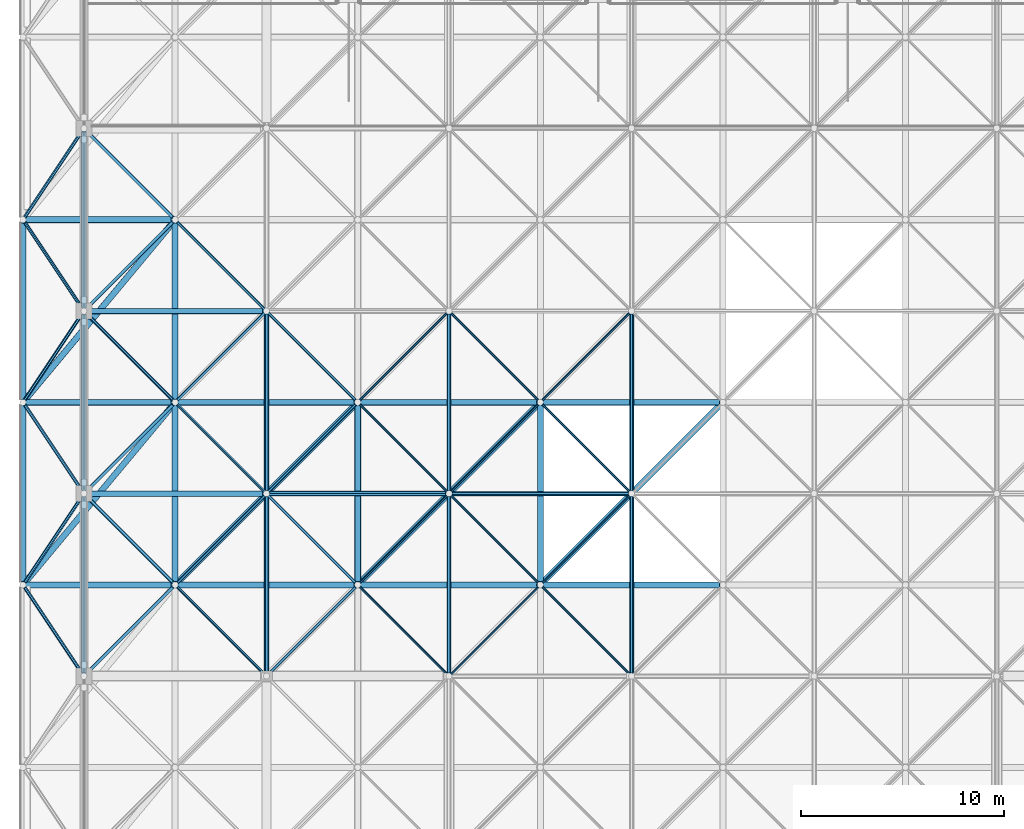
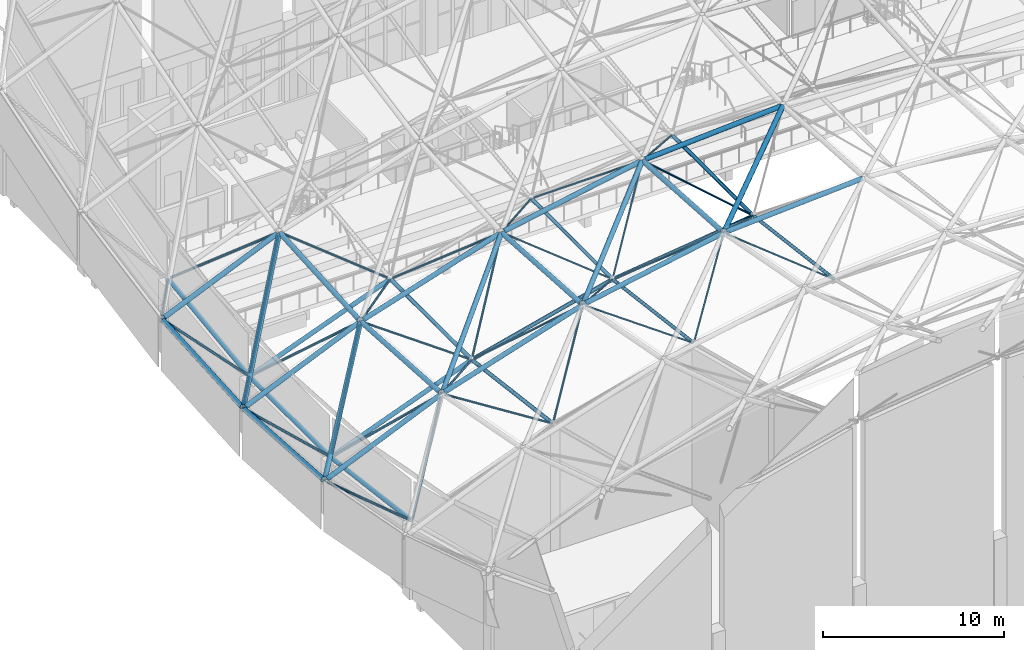
# One storey, part 98 of 437: 66 members.
"""IFC4 building model written with IfcOpenShell, lengths in metres."""

from ifc_helpers import new_model, si_unit, direction, frame, origin, origin_2d, place, context, subcontext, project, spatial, hollow_circle, extrude, material, material_profile, profile_set, type_object, element, save


model = new_model("IFC4")

# Units and contexts
model_context = context("Model", 3, precision=1e-05, world=origin(), true_north=direction((0.0, 1.0)))
body_context = subcontext(model_context, "Body", "Model", "MODEL_VIEW")
ifc_project = project(units=[si_unit("LENGTHUNIT", "METRE"), si_unit("AREAUNIT", "SQUARE_METRE"), si_unit("VOLUMEUNIT", "CUBIC_METRE"), si_unit("PLANEANGLEUNIT", "RADIAN"), si_unit("MASSUNIT", "GRAM", prefix="KILO")], contexts=[model_context])

# Site, building, storey
site_placement = place(None, origin())
site = spatial("IfcSite", under=ifc_project, at=site_placement, CompositionType="ELEMENT")
building_placement = place(site_placement, origin())
building = spatial("IfcBuilding", under=site, at=building_placement, Name="Opaline Strait Convention Centre", CompositionType="ELEMENT")
storey_placement = place(building_placement, frame((0.0, 0.0, 11.5)))
storey = spatial("IfcBuildingStorey", under=building, at=storey_placement, Name="L02", CompositionType="ELEMENT", Elevation=11.5)

# Members
ifc_material = material(Name="Steel Q355B", Category="steel")
ifc_material_profile_1 = material_profile(ifc_material, hollow_circle(Radius=0.109619140625, WallThickness=0.008056640625, at=origin_2d()), Name="CHS 219x8")
ifc_profile_set_1 = profile_set([ifc_material_profile_1], Name="Steel Q355B")
member_type_1 = type_object("IfcMemberType", Name="Shell truss bottom chord CHS 219x8", PredefinedType="CHORD", material=ifc_profile_set_1)
for number, where, z_axis, x_axis, name in (
    (1, (27.14990234375, 144.0, 9.5712890625), (0.992034447069, 0.0, 0.125966883853), (0.0, 1.0, 0.0), "PBC3 bottom chord X3-4"),
    (2, (27.0, 135.14990234375, 10.676025390625), (0.0, 0.992034447069, -0.125966883853), (-1.0, 0.0, 0.0), "PBC3 bottom chord Y3-3"),
):
    element("IfcMember", number, at=place(storey_placement, frame(where, z_axis=z_axis, x_axis=x_axis)), inside=storey, type_object=member_type_1, Name=name, PredefinedType="CHORD", context=body_context, shape_type="SweptSolid", body=[
        extrude(hollow_circle(Radius=0.109619140625, WallThickness=0.008056640625, at=origin_2d()), origin(), (0.0, 0.0, 1.0), 8.77001953125),
    ])
member_1_placement = place(storey_placement, frame((27.0, 144.14990234375, 9.552001953125), z_axis=(0.0, 1.0, 0.0), x_axis=(-1.0, 0.0, 0.0)))
element("IfcMember", 3, at=member_1_placement, inside=storey, type_object=member_type_1, Name="PBC3 bottom chord Y3-4", PredefinedType="CHORD", context=body_context, shape_type="SweptSolid", body=[
    extrude(hollow_circle(Radius=0.109619140625, WallThickness=0.008056640625, at=origin_2d()), origin(), (0.0, 0.0, 1.0), 8.7001953125),
])
member_2_placement = place(storey_placement, frame((36.0, 135.14990234375, 11.81884765625), z_axis=(0.0, 0.992034447069, -0.125966883853), x_axis=(-1.0, 0.0, 0.0)))
element("IfcMember", 4, at=member_2_placement, inside=storey, type_object=member_type_1, Name="PBC3 bottom chord Y4-3", PredefinedType="CHORD", context=body_context, shape_type="SweptSolid", body=[
    extrude(hollow_circle(Radius=0.109619140625, WallThickness=0.008056640625, at=origin_2d()), origin(), (0.0, 0.0, 1.0), 8.77001953125),
])
member_3_placement = place(storey_placement, frame((36.0, 144.14990234375, 10.695068359375), z_axis=(0.0, 1.0, 0.0), x_axis=(-1.0, 0.0, 0.0)))
element("IfcMember", 5, at=member_3_placement, inside=storey, type_object=member_type_1, Name="PBC3 bottom chord Y4-4", PredefinedType="CHORD", context=body_context, shape_type="SweptSolid", body=[
    extrude(hollow_circle(Radius=0.109619140625, WallThickness=0.008056640625, at=origin_2d()), origin(), (0.0, 0.0, 1.0), 8.7001953125),
])
ifc_material_profile_2 = material_profile(ifc_material, hollow_circle(Radius=0.12255859375, WallThickness=0.011962890625, at=origin_2d()), Name="CHS 245x12")
ifc_profile_set_2 = profile_set([ifc_material_profile_2], Name="Steel Q355B")
member_type_2 = type_object("IfcMemberType", Name="Shell truss bottom chord CHS 245x12", PredefinedType="CHORD", material=ifc_profile_set_2)
member_4_placement = place(storey_placement, frame((18.14990234375, 144.0, 7.304443359375), z_axis=(0.969233447146, 0.0, 0.246143301624), x_axis=(0.0, 1.0, 0.0)))
element("IfcMember", 6, at=member_4_placement, inside=storey, type_object=member_type_2, Name="PBC2 bottom chord X2-4", PredefinedType="CHORD", context=body_context, shape_type="SweptSolid", body=[
    extrude(hollow_circle(Radius=0.12255859375, WallThickness=0.011962890625, at=origin_2d()), origin(), (0.0, 0.0, 1.0), 8.976318359375),
])
member_5_placement = place(storey_placement, frame((18.0, 135.14990234375, 8.39013671875), z_axis=(0.0, 0.992034447069, -0.125966883853), x_axis=(-1.0, 0.0, 0.0)))
element("IfcMember", 7, at=member_5_placement, inside=storey, type_object=member_type_2, Name="PBC2 bottom chord Y2-3", PredefinedType="CHORD", context=body_context, shape_type="SweptSolid", body=[
    extrude(hollow_circle(Radius=0.12255859375, WallThickness=0.011962890625, at=origin_2d()), origin(), (0.0, 0.0, 1.0), 8.77001953125),
])
member_6_placement = place(storey_placement, frame((18.0, 144.14990234375, 7.266357421875), z_axis=(0.0, 1.0, 0.0), x_axis=(-1.0, 0.0, 0.0)))
element("IfcMember", 8, at=member_6_placement, inside=storey, type_object=member_type_2, Name="PBC2 bottom chord Y2-4", PredefinedType="CHORD", context=body_context, shape_type="SweptSolid", body=[
    extrude(hollow_circle(Radius=0.12255859375, WallThickness=0.011962890625, at=origin_2d()), origin(), (0.0, 0.0, 1.0), 8.7001953125),
])
ifc_material_profile_3 = material_profile(ifc_material, hollow_circle(Radius=0.136474609375, WallThickness=0.011962890625, at=origin_2d()), Name="CHS 273x12")
ifc_profile_set_3 = profile_set([ifc_material_profile_3], Name="Steel Q355B")
member_type_3 = type_object("IfcMemberType", Name="Shell truss bottom chord CHS 273x12", PredefinedType="CHORD", material=ifc_profile_set_3)
for number, where, z_axis, x_axis, name in (
    (9, (9.14990234375, 144.0, 3.89501953125), (0.934493135261, 0.0, 0.355981151397), (0.0, 1.0, 0.0), "PBC1 bottom chord X1-4"),
    (10, (9.14990234375, 153.0, 3.89501953125), (0.934493135261, 0.0, 0.355981151397), (0.0, 1.0, 0.0), "PBC1 bottom chord X1-5"),
):
    element("IfcMember", number, at=place(storey_placement, frame(where, z_axis=z_axis, x_axis=x_axis)), inside=storey, type_object=member_type_3, Name=name, PredefinedType="CHORD", context=body_context, shape_type="SweptSolid", body=[
        extrude(hollow_circle(Radius=0.136474609375, WallThickness=0.011962890625, at=origin_2d()), origin(), (0.0, 0.0, 1.0), 9.31005859375),
    ])
member_7_placement = place(storey_placement, frame((9.0, 135.14990234375, 4.961669921875), z_axis=(0.0, 0.992034447069, -0.125966883853), x_axis=(-1.0, 0.0, 0.0)))
element("IfcMember", 11, at=member_7_placement, inside=storey, type_object=member_type_3, Name="PBC1 bottom chord Y1-3", PredefinedType="CHORD", context=body_context, shape_type="SweptSolid", body=[
    extrude(hollow_circle(Radius=0.136474609375, WallThickness=0.011962890625, at=origin_2d()), origin(), (0.0, 0.0, 1.0), 8.77001953125),
])
member_8_placement = place(storey_placement, frame((9.0, 144.14990234375, 3.837890625), z_axis=(0.0, 1.0, 0.0), x_axis=(-1.0, 0.0, 0.0)))
element("IfcMember", 12, at=member_8_placement, inside=storey, type_object=member_type_3, Name="PBC1 bottom chord Y1-4", PredefinedType="CHORD", context=body_context, shape_type="SweptSolid", body=[
    extrude(hollow_circle(Radius=0.136474609375, WallThickness=0.011962890625, at=origin_2d()), origin(), (0.0, 0.0, 1.0), 8.7001953125),
])
member_9_placement = place(storey_placement, frame((9.0, 153.14990234375, 3.85693359375), z_axis=(0.0, 0.992034447069, 0.125966883853), x_axis=(-1.0, 0.0, 0.0)))
element("IfcMember", 13, at=member_9_placement, inside=storey, type_object=member_type_3, Name="PBC1 bottom chord Y1-5", PredefinedType="CHORD", context=body_context, shape_type="SweptSolid", body=[
    extrude(hollow_circle(Radius=0.136474609375, WallThickness=0.011962890625, at=origin_2d()), origin(), (0.0, 0.0, 1.0), 8.77001953125),
])
ifc_material_profile_4 = material_profile(ifc_material, hollow_circle(Radius=0.1494140625, WallThickness=0.010009765625, at=origin_2d()), Name="CHS 299x10")
ifc_profile_set_4 = profile_set([ifc_material_profile_4], Name="Steel Q355B")
member_type_4 = type_object("IfcMemberType", Name="Shell truss top chord CHS 299x10", PredefinedType="CHORD", material=ifc_profile_set_4)
member_10_placement = place(storey_placement, frame((22.64990234375, 139.5, 12.1591796875), z_axis=(0.982337601302, 0.0, 0.187117174701), x_axis=(0.0, 1.0, 0.0)))
element("IfcMember", 14, at=member_10_placement, inside=storey, type_object=member_type_4, Name="PTC2 top chord X3-4", PredefinedType="CHORD", context=body_context, shape_type="SweptSolid", body=[
    extrude(hollow_circle(Radius=0.1494140625, WallThickness=0.010009765625, at=origin_2d()), origin(), (0.0, 0.0, 1.0), 8.856689453125),
])
member_11_placement = place(storey_placement, frame((31.64990234375, 139.5, 13.8544921875), z_axis=(0.997989749805, 0.0, 0.063375541694), x_axis=(0.0, 1.0, 0.0)))
element("IfcMember", 15, at=member_11_placement, inside=storey, type_object=member_type_4, Name="PTC2 top chord X4-4", PredefinedType="CHORD", context=body_context, shape_type="SweptSolid", body=[
    extrude(hollow_circle(Radius=0.1494140625, WallThickness=0.010009765625, at=origin_2d()), origin(), (0.0, 0.0, 1.0), 8.7177734375),
])
member_12_placement = place(storey_placement, frame((22.64990234375, 148.5, 11.587890625), z_axis=(0.982337601302, 0.0, 0.187117174701), x_axis=(0.0, 1.0, 0.0)))
element("IfcMember", 16, at=member_12_placement, inside=storey, type_object=member_type_4, Name="PTC2 top chord X3-5", PredefinedType="CHORD", context=body_context, shape_type="SweptSolid", body=[
    extrude(hollow_circle(Radius=0.1494140625, WallThickness=0.010009765625, at=origin_2d()), origin(), (0.0, 0.0, 1.0), 8.856689453125),
])
for number, where, z_axis, x_axis, name in (
    (17, (31.64990234375, 148.5, 13.283203125), (0.997991520688, 0.0, 0.063347649001), (0.0, 1.0, 0.0), "PTC2 top chord X4-5"),
    (18, (31.5, 139.64990234375, 13.83544921875), (0.0, 0.997991520688, -0.063347649001), (-1.0, 0.0, 0.0), "PTC2 top chord Y4-4"),
):
    element("IfcMember", number, at=place(storey_placement, frame(where, z_axis=z_axis, x_axis=x_axis)), inside=storey, type_object=member_type_4, Name=name, PredefinedType="CHORD", context=body_context, shape_type="SweptSolid", body=[
        extrude(hollow_circle(Radius=0.1494140625, WallThickness=0.010009765625, at=origin_2d()), origin(), (0.0, 0.0, 1.0), 8.7177734375),
    ])
member_13_placement = place(storey_placement, frame((22.606201171875, 139.606201171875, 12.144287109375), z_axis=(0.704274205766, 0.704274205766, 0.089418600888), x_axis=(-0.707106781187, 0.707106781187, 0.0)))
element("IfcMember", 19, at=member_13_placement, inside=storey, type_object=member_type_4, Name="PTC2 top chord D3-4", PredefinedType="CHORD", context=body_context, shape_type="SweptSolid", body=[
    extrude(hollow_circle(Radius=0.1494140625, WallThickness=0.010009765625, at=origin_2d()), origin(), (0.0, 0.0, 1.0), 12.4775390625),
])
member_14_placement = place(storey_placement, frame((31.606201171875, 139.606201171875, 13.844970703125), z_axis=(0.707106781187, 0.707106781187, 0.0), x_axis=(-0.707106781187, 0.707106781187, 0.0)))
element("IfcMember", 20, at=member_14_placement, inside=storey, type_object=member_type_4, Name="PTC2 top chord D4-4", PredefinedType="CHORD", context=body_context, shape_type="SweptSolid", body=[
    extrude(hollow_circle(Radius=0.1494140625, WallThickness=0.010009765625, at=origin_2d()), origin(), (0.0, 0.0, 1.0), 12.427490234375),
])
ifc_material_profile_5 = material_profile(ifc_material, hollow_circle(Radius=0.1494140625, WallThickness=0.01611328125, at=origin_2d()), Name="CHS 299x16")
ifc_profile_set_5 = profile_set([ifc_material_profile_5], Name="Steel Q355B")
member_type_5 = type_object("IfcMemberType", Name="Shell truss top chord CHS 299x16", PredefinedType="CHORD", material=ifc_profile_set_5)
member_15_placement = place(storey_placement, frame((6.14990234375, 139.5, 6.084716796875), z_axis=(0.917383800951, 0.0, 0.398003720777), x_axis=(0.0, 1.0, 0.0)))
element("IfcMember", 21, at=member_15_placement, inside=storey, type_object=member_type_5, Name="PTC1 top chord X1-4", PredefinedType="CHORD", context=body_context, shape_type="SweptSolid", body=[
    extrude(hollow_circle(Radius=0.1494140625, WallThickness=0.01611328125, at=origin_2d()), origin(), (0.0, 0.0, 1.0), 7.8486328125),
])
member_16_placement = place(storey_placement, frame((13.64990234375, 139.5, 9.3212890625), z_axis=(0.953132102782, 0.0, 0.302554449059), x_axis=(0.0, 1.0, 0.0)))
element("IfcMember", 22, at=member_16_placement, inside=storey, type_object=member_type_5, Name="PTC1 top chord X2-4", PredefinedType="CHORD", context=body_context, shape_type="SweptSolid", body=[
    extrude(hollow_circle(Radius=0.1494140625, WallThickness=0.01611328125, at=origin_2d()), origin(), (0.0, 0.0, 1.0), 9.1279296875),
])
member_17_placement = place(storey_placement, frame((6.14990234375, 148.5, 5.51318359375), z_axis=(0.917372443158, 0.0, 0.398029899046), x_axis=(0.0, 1.0, 0.0)))
element("IfcMember", 23, at=member_17_placement, inside=storey, type_object=member_type_5, Name="PTC1 top chord X1-5", PredefinedType="CHORD", context=body_context, shape_type="SweptSolid", body=[
    extrude(hollow_circle(Radius=0.1494140625, WallThickness=0.01611328125, at=origin_2d()), origin(), (0.0, 0.0, 1.0), 7.8486328125),
])
member_18_placement = place(storey_placement, frame((13.64990234375, 148.5, 8.749755859375), z_axis=(0.95312438958, 0.0, 0.302578746754), x_axis=(0.0, 1.0, 0.0)))
element("IfcMember", 24, at=member_18_placement, inside=storey, type_object=member_type_5, Name="PTC1 top chord X2-5", PredefinedType="CHORD", context=body_context, shape_type="SweptSolid", body=[
    extrude(hollow_circle(Radius=0.1494140625, WallThickness=0.01611328125, at=origin_2d()), origin(), (0.0, 0.0, 1.0), 9.128173828125),
])
member_19_placement = place(storey_placement, frame((6.14990234375, 157.5, 6.084716796875), z_axis=(0.917383800951, 0.0, 0.398003720777), x_axis=(0.0, 1.0, 0.0)))
element("IfcMember", 25, at=member_19_placement, inside=storey, type_object=member_type_5, Name="PTC1 top chord X1-6", PredefinedType="CHORD", context=body_context, shape_type="SweptSolid", body=[
    extrude(hollow_circle(Radius=0.1494140625, WallThickness=0.01611328125, at=origin_2d()), origin(), (0.0, 0.0, 1.0), 7.8486328125),
])
for number, where, z_axis, x_axis, name in (
    (26, (6.0, 139.64990234375, 6.010009765625), (0.0, 0.997991520688, -0.063347649001), (-1.0, 0.0, 0.0), "PTC1 top chord Y1-4"),
    (27, (6.0, 148.64990234375, 5.457763671875), (0.0, 0.997991520688, 0.063347649001), (-1.0, 0.0, 0.0), "PTC1 top chord Y1-5"),
    (28, (13.5, 139.64990234375, 9.263916015625), (0.0, 0.997991520688, -0.063347649001), (-1.0, 0.0, 0.0), "PTC1 top chord Y2-4"),
    (29, (13.5, 148.64990234375, 8.711669921875), (0.0, 0.997991520688, 0.063347649001), (-1.0, 0.0, 0.0), "PTC1 top chord Y2-5"),
    (30, (22.5, 139.64990234375, 12.12109375), (0.0, 0.997991520688, -0.063347649001), (-1.0, 0.0, 0.0), "PTC1 top chord Y3-4"),
):
    element("IfcMember", number, at=place(storey_placement, frame(where, z_axis=z_axis, x_axis=x_axis)), inside=storey, type_object=member_type_5, Name=name, PredefinedType="CHORD", context=body_context, shape_type="SweptSolid", body=[
        extrude(hollow_circle(Radius=0.1494140625, WallThickness=0.01611328125, at=origin_2d()), origin(), (0.0, 0.0, 1.0), 8.7177734375),
    ])
member_20_placement = place(storey_placement, frame((6.095947265625, 139.615234375, 6.053955078125), z_axis=(0.624043716713, 0.748835782199, 0.223191422167), x_axis=(-0.768214267482, 0.640192814109, 0.0)))
element("IfcMember", 31, at=member_20_placement, inside=storey, type_object=member_type_5, Name="PTC1 top chord D1-4", PredefinedType="CHORD", context=body_context, shape_type="SweptSolid", body=[
    extrude(hollow_circle(Radius=0.1494140625, WallThickness=0.01611328125, at=origin_2d()), origin(), (0.0, 0.0, 1.0), 11.7109375),
])
member_21_placement = place(storey_placement, frame((6.095947265625, 148.615234375, 5.497314453125), z_axis=(0.608574043554, 0.730272587842, 0.310386180361), x_axis=(-0.768214267482, 0.640192814109, 0.0)))
element("IfcMember", 32, at=member_21_placement, inside=storey, type_object=member_type_5, Name="PTC1 top chord D1-5", PredefinedType="CHORD", context=body_context, shape_type="SweptSolid", body=[
    extrude(hollow_circle(Radius=0.1494140625, WallThickness=0.01611328125, at=origin_2d()), origin(), (0.0, 0.0, 1.0), 12.008544921875),
])
member_22_placement = place(storey_placement, frame((13.606201171875, 139.606201171875, 9.300537109375), z_axis=(0.695974078103, 0.695974078103, 0.176748876144), x_axis=(-0.707106781187, 0.707106781187, 0.0)))
element("IfcMember", 33, at=member_22_placement, inside=storey, type_object=member_type_5, Name="PTC1 top chord D2-4", PredefinedType="CHORD", context=body_context, shape_type="SweptSolid", body=[
    extrude(hollow_circle(Radius=0.1494140625, WallThickness=0.01611328125, at=origin_2d()), origin(), (0.0, 0.0, 1.0), 12.626220703125),
])
ifc_material_profile_6 = material_profile(ifc_material, hollow_circle(Radius=0.056884765625, WallThickness=0.006103515625, at=origin_2d()), Name="CHS 114x6")
ifc_profile_set_6 = profile_set([ifc_material_profile_6], Name="Steel Q355B")
member_type_6 = type_object("IfcMemberType", Name="Shell truss web CHS 114x6", PredefinedType="BRACE", material=ifc_profile_set_6)
member_23_placement = place(storey_placement, frame((26.893798828125, 135.106201171875, 10.728759765625), z_axis=(-0.689766139831, 0.689766139831, 0.220103031979), x_axis=(-0.707106781187, -0.707106781187, 0.0)))
element("IfcMember", 34, at=member_23_placement, inside=storey, type_object=member_type_6, Name="PWB3 web 3-3ad", PredefinedType="BRACE", context=body_context, shape_type="SweptSolid", body=[
    extrude(hollow_circle(Radius=0.056884765625, WallThickness=0.006103515625, at=origin_2d()), origin(), (0.0, 0.0, 1.0), 6.216064453125),
])
member_24_placement = place(storey_placement, frame((27.106201171875, 135.106201171875, 10.769287109375), z_axis=(0.633718163842, 0.633718163842, 0.443624365464), x_axis=(-0.707106781187, 0.707106781187, 0.0)))
element("IfcMember", 35, at=member_24_placement, inside=storey, type_object=member_type_6, Name="PWB3 web 3-3bd", PredefinedType="BRACE", context=body_context, shape_type="SweptSolid", body=[
    extrude(hollow_circle(Radius=0.056884765625, WallThickness=0.006103515625, at=origin_2d()), origin(), (0.0, 0.0, 1.0), 6.765869140625),
])
member_25_placement = place(storey_placement, frame((26.893798828125, 143.893798828125, 9.61279296875), z_axis=(-0.655347879398, -0.655347879398, 0.375550680917), x_axis=(0.707106781187, -0.707106781187, 0.0)))
element("IfcMember", 36, at=member_25_placement, inside=storey, type_object=member_type_6, Name="PWB3 web 3-4ac", PredefinedType="BRACE", context=body_context, shape_type="SweptSolid", body=[
    extrude(hollow_circle(Radius=0.056884765625, WallThickness=0.006103515625, at=origin_2d()), origin(), (0.0, 0.0, 1.0), 6.54248046875),
])
member_26_placement = place(storey_placement, frame((26.893798828125, 144.106201171875, 9.599609375), z_axis=(-0.674363311794, 0.674363311794, 0.300779399914), x_axis=(-0.707106781187, -0.707106781187, 0.0)))
element("IfcMember", 37, at=member_26_placement, inside=storey, type_object=member_type_6, Name="PWB3 web 3-4ad", PredefinedType="BRACE", context=body_context, shape_type="SweptSolid", body=[
    extrude(hollow_circle(Radius=0.056884765625, WallThickness=0.006103515625, at=origin_2d()), origin(), (0.0, 0.0, 1.0), 6.35791015625),
])
member_27_placement = place(storey_placement, frame((27.106201171875, 143.893798828125, 9.6533203125), z_axis=(0.58618937533, -0.58618937533, 0.559253102361), x_axis=(0.707106781187, 0.707106781187, 0.0)))
element("IfcMember", 38, at=member_27_placement, inside=storey, type_object=member_type_6, Name="PWB3 web 3-4bc", PredefinedType="BRACE", context=body_context, shape_type="SweptSolid", body=[
    extrude(hollow_circle(Radius=0.056884765625, WallThickness=0.006103515625, at=origin_2d()), origin(), (0.0, 0.0, 1.0), 7.314453125),
])
member_28_placement = place(storey_placement, frame((27.106201171875, 144.106201171875, 9.639892578125), z_axis=(0.61039752844, 0.61039752844, 0.504806611039), x_axis=(-0.707106781187, 0.707106781187, 0.0)))
element("IfcMember", 39, at=member_28_placement, inside=storey, type_object=member_type_6, Name="PWB3 web 3-4bd", PredefinedType="BRACE", context=body_context, shape_type="SweptSolid", body=[
    extrude(hollow_circle(Radius=0.056884765625, WallThickness=0.006103515625, at=origin_2d()), origin(), (0.0, 0.0, 1.0), 7.024169921875),
])
member_29_placement = place(storey_placement, frame((26.893798828125, 152.893798828125, 9.599609375), z_axis=(-0.674363311794, -0.674363311794, 0.300779399914), x_axis=(0.707106781187, -0.707106781187, 0.0)))
element("IfcMember", 40, at=member_29_placement, inside=storey, type_object=member_type_6, Name="PWB3 web 3-5ac", PredefinedType="BRACE", context=body_context, shape_type="SweptSolid", body=[
    extrude(hollow_circle(Radius=0.056884765625, WallThickness=0.006103515625, at=origin_2d()), origin(), (0.0, 0.0, 1.0), 6.35791015625),
])
member_30_placement = place(storey_placement, frame((27.106201171875, 152.893798828125, 9.639892578125), z_axis=(0.61039752844, -0.61039752844, 0.504806611039), x_axis=(0.707106781187, 0.707106781187, 0.0)))
element("IfcMember", 41, at=member_30_placement, inside=storey, type_object=member_type_6, Name="PWB3 web 3-5bc", PredefinedType="BRACE", context=body_context, shape_type="SweptSolid", body=[
    extrude(hollow_circle(Radius=0.056884765625, WallThickness=0.006103515625, at=origin_2d()), origin(), (0.0, 0.0, 1.0), 7.024169921875),
])
member_31_placement = place(storey_placement, frame((35.893798828125, 135.106201171875, 11.88525390625), z_axis=(-0.674363311794, 0.674363311794, 0.300779399914), x_axis=(-0.707106781187, -0.707106781187, 0.0)))
element("IfcMember", 42, at=member_31_placement, inside=storey, type_object=member_type_6, Name="PWB3 web 4-3ad", PredefinedType="BRACE", context=body_context, shape_type="SweptSolid", body=[
    extrude(hollow_circle(Radius=0.056884765625, WallThickness=0.006103515625, at=origin_2d()), origin(), (0.0, 0.0, 1.0), 6.35791015625),
])
member_32_placement = place(storey_placement, frame((35.893798828125, 143.893798828125, 10.769287109375), z_axis=(-0.633718163842, -0.633718163842, 0.443624365464), x_axis=(0.707106781187, -0.707106781187, 0.0)))
element("IfcMember", 43, at=member_32_placement, inside=storey, type_object=member_type_6, Name="PWB3 web 4-4ac", PredefinedType="BRACE", context=body_context, shape_type="SweptSolid", body=[
    extrude(hollow_circle(Radius=0.056884765625, WallThickness=0.006103515625, at=origin_2d()), origin(), (0.0, 0.0, 1.0), 6.765869140625),
])
for number, where, z_axis, x_axis, name in (
    (44, (35.893798828125, 144.106201171875, 10.755859375), (-0.655347879398, 0.655347879398, 0.375550680917), (-0.707106781187, -0.707106781187, 0.0), "PWB3 web 4-4ad"),
    (45, (35.893798828125, 152.893798828125, 10.755859375), (-0.655347879398, -0.655347879398, 0.375550680917), (0.707106781187, -0.707106781187, 0.0), "PWB3 web 4-5ac"),
):
    element("IfcMember", number, at=place(storey_placement, frame(where, z_axis=z_axis, x_axis=x_axis)), inside=storey, type_object=member_type_6, Name=name, PredefinedType="BRACE", context=body_context, shape_type="SweptSolid", body=[
        extrude(hollow_circle(Radius=0.056884765625, WallThickness=0.006103515625, at=origin_2d()), origin(), (0.0, 0.0, 1.0), 6.54248046875),
    ])
ifc_material_profile_7 = material_profile(ifc_material, hollow_circle(Radius=0.070068359375, WallThickness=0.008056640625, at=origin_2d()), Name="CHS 140x8")
ifc_profile_set_7 = profile_set([ifc_material_profile_7], Name="Steel Q355B")
member_type_7 = type_object("IfcMemberType", Name="Shell truss web CHS 140x8", PredefinedType="BRACE", material=ifc_profile_set_7)
member_33_placement = place(storey_placement, frame((17.893798828125, 135.106201171875, 8.4296875), z_axis=(-0.700674687609, 0.700674687609, 0.134573267356), x_axis=(-0.707106781187, -0.707106781187, 0.0)))
element("IfcMember", 46, at=member_33_placement, inside=storey, type_object=member_type_7, Name="PWB2 web 2-3ad", PredefinedType="BRACE", context=body_context, shape_type="SweptSolid", body=[
    extrude(hollow_circle(Radius=0.070068359375, WallThickness=0.008056640625, at=origin_2d()), origin(), (0.0, 0.0, 1.0), 6.119140625),
])
member_34_placement = place(storey_placement, frame((18.106201171875, 135.106201171875, 8.4970703125), z_axis=(0.61039752844, 0.61039752844, 0.504806611039), x_axis=(-0.707106781187, 0.707106781187, 0.0)))
element("IfcMember", 47, at=member_34_placement, inside=storey, type_object=member_type_7, Name="PWB2 web 2-3bd", PredefinedType="BRACE", context=body_context, shape_type="SweptSolid", body=[
    extrude(hollow_circle(Radius=0.070068359375, WallThickness=0.008056640625, at=origin_2d()), origin(), (0.0, 0.0, 1.0), 7.024169921875),
])
member_35_placement = place(storey_placement, frame((17.893798828125, 143.893798828125, 7.313720703125), z_axis=(-0.674355522785, -0.674355522785, 0.300814324422), x_axis=(0.707106781187, -0.707106781187, 0.0)))
element("IfcMember", 48, at=member_35_placement, inside=storey, type_object=member_type_7, Name="PWB2 web 2-4ac", PredefinedType="BRACE", context=body_context, shape_type="SweptSolid", body=[
    extrude(hollow_circle(Radius=0.070068359375, WallThickness=0.008056640625, at=origin_2d()), origin(), (0.0, 0.0, 1.0), 6.358154296875),
])
member_36_placement = place(storey_placement, frame((17.893798828125, 144.106201171875, 7.30029296875), z_axis=(-0.689772102252, 0.689772102252, 0.220065658178), x_axis=(-0.707106781187, -0.707106781187, 0.0)))
element("IfcMember", 49, at=member_36_placement, inside=storey, type_object=member_type_7, Name="PWB2 web 2-4ad", PredefinedType="BRACE", context=body_context, shape_type="SweptSolid", body=[
    extrude(hollow_circle(Radius=0.070068359375, WallThickness=0.008056640625, at=origin_2d()), origin(), (0.0, 0.0, 1.0), 6.216064453125),
])
member_37_placement = place(storey_placement, frame((18.106201171875, 143.893798828125, 7.381103515625), z_axis=(0.561778263095, -0.561778263095, 0.607297592806), x_axis=(0.707106781187, 0.707106781187, 0.0)))
element("IfcMember", 50, at=member_37_placement, inside=storey, type_object=member_type_7, Name="PWB2 web 2-4bc", PredefinedType="BRACE", context=body_context, shape_type="SweptSolid", body=[
    extrude(hollow_circle(Radius=0.070068359375, WallThickness=0.008056640625, at=origin_2d()), origin(), (0.0, 0.0, 1.0), 7.632080078125),
])
member_38_placement = place(storey_placement, frame((18.106201171875, 144.106201171875, 7.36767578125), z_axis=(0.586200317653, 0.586200317653, 0.559230162963), x_axis=(-0.707106781187, 0.707106781187, 0.0)))
element("IfcMember", 51, at=member_38_placement, inside=storey, type_object=member_type_7, Name="PWB2 web 2-4bd", PredefinedType="BRACE", context=body_context, shape_type="SweptSolid", body=[
    extrude(hollow_circle(Radius=0.070068359375, WallThickness=0.008056640625, at=origin_2d()), origin(), (0.0, 0.0, 1.0), 7.314208984375),
])
member_39_placement = place(storey_placement, frame((17.893798828125, 152.893798828125, 7.30029296875), z_axis=(-0.689772102252, -0.689772102252, 0.220065658178), x_axis=(0.707106781187, -0.707106781187, 0.0)))
element("IfcMember", 52, at=member_39_placement, inside=storey, type_object=member_type_7, Name="PWB2 web 2-5ac", PredefinedType="BRACE", context=body_context, shape_type="SweptSolid", body=[
    extrude(hollow_circle(Radius=0.070068359375, WallThickness=0.008056640625, at=origin_2d()), origin(), (0.0, 0.0, 1.0), 6.216064453125),
])
member_40_placement = place(storey_placement, frame((17.893798828125, 153.106201171875, 7.313720703125), z_axis=(-0.674355522785, 0.674355522785, 0.300814324422), x_axis=(-0.707106781187, -0.707106781187, 0.0)))
element("IfcMember", 53, at=member_40_placement, inside=storey, type_object=member_type_7, Name="PWB2 web 2-5ad", PredefinedType="BRACE", context=body_context, shape_type="SweptSolid", body=[
    extrude(hollow_circle(Radius=0.070068359375, WallThickness=0.008056640625, at=origin_2d()), origin(), (0.0, 0.0, 1.0), 6.358154296875),
])
member_41_placement = place(storey_placement, frame((18.106201171875, 152.893798828125, 7.36767578125), z_axis=(0.586200317653, -0.586200317653, 0.559230162963), x_axis=(0.707106781187, 0.707106781187, 0.0)))
element("IfcMember", 54, at=member_41_placement, inside=storey, type_object=member_type_7, Name="PWB2 web 2-5bc", PredefinedType="BRACE", context=body_context, shape_type="SweptSolid", body=[
    extrude(hollow_circle(Radius=0.070068359375, WallThickness=0.008056640625, at=origin_2d()), origin(), (0.0, 0.0, 1.0), 7.314208984375),
])
ifc_material_profile_8 = material_profile(ifc_material, hollow_circle(Radius=0.083984375, WallThickness=0.010009765625, at=origin_2d()), Name="CHS 168x10")
ifc_profile_set_8 = profile_set([ifc_material_profile_8], Name="Steel Q355B")
member_type_8 = type_object("IfcMemberType", Name="Shell truss web CHS 168x10", PredefinedType="BRACE", material=ifc_profile_set_8)
member_42_placement = place(storey_placement, frame((8.916748046875, 135.124755859375, 5.009521484375), z_axis=(-0.54472074795, 0.817128056333, 0.188629388765), x_axis=(-0.832064999387, -0.554678138018, 0.0)))
element("IfcMember", 55, at=member_42_placement, inside=storey, type_object=member_type_8, Name="PWB1 web 1-3ad", PredefinedType="BRACE", context=body_context, shape_type="SweptSolid", body=[
    extrude(hollow_circle(Radius=0.083984375, WallThickness=0.010009765625, at=origin_2d()), origin(), (0.0, 0.0, 1.0), 5.20166015625),
])
member_43_placement = place(storey_placement, frame((9.106201171875, 135.106201171875, 5.081787109375), z_axis=(0.58618937533, 0.58618937533, 0.559253102361), x_axis=(-0.707106781187, 0.707106781187, 0.0)))
element("IfcMember", 56, at=member_43_placement, inside=storey, type_object=member_type_8, Name="PWB1 web 1-3bd", PredefinedType="BRACE", context=body_context, shape_type="SweptSolid", body=[
    extrude(hollow_circle(Radius=0.083984375, WallThickness=0.010009765625, at=origin_2d()), origin(), (0.0, 0.0, 1.0), 7.314453125),
])
member_44_placement = place(storey_placement, frame((8.916748046875, 143.875244140625, 3.8984375), z_axis=(-0.514406220671, -0.771653653444, 0.374081380533), x_axis=(0.832064999387, -0.554678138018, 0.0)))
element("IfcMember", 57, at=member_44_placement, inside=storey, type_object=member_type_8, Name="PWB1 web 1-4ac", PredefinedType="BRACE", context=body_context, shape_type="SweptSolid", body=[
    extrude(hollow_circle(Radius=0.083984375, WallThickness=0.010009765625, at=origin_2d()), origin(), (0.0, 0.0, 1.0), 5.50830078125),
])
member_45_placement = place(storey_placement, frame((8.916748046875, 144.124755859375, 3.882568359375), z_axis=(-0.531613899654, 0.797466654574, 0.285365724181), x_axis=(-0.832064999387, -0.554678138018, 0.0)))
element("IfcMember", 58, at=member_45_placement, inside=storey, type_object=member_type_8, Name="PWB1 web 1-4ad", PredefinedType="BRACE", context=body_context, shape_type="SweptSolid", body=[
    extrude(hollow_circle(Radius=0.083984375, WallThickness=0.010009765625, at=origin_2d()), origin(), (0.0, 0.0, 1.0), 5.330078125),
])
member_46_placement = place(storey_placement, frame((9.106201171875, 143.893798828125, 3.966064453125), z_axis=(0.537659406453, -0.537659406453, 0.649495746949), x_axis=(0.707106781187, 0.707106781187, 0.0)))
element("IfcMember", 59, at=member_46_placement, inside=storey, type_object=member_type_8, Name="PWB1 web 1-4bc", PredefinedType="BRACE", context=body_context, shape_type="SweptSolid", body=[
    extrude(hollow_circle(Radius=0.083984375, WallThickness=0.010009765625, at=origin_2d()), origin(), (0.0, 0.0, 1.0), 7.974609375),
])
member_47_placement = place(storey_placement, frame((9.106201171875, 144.106201171875, 3.952392578125), z_axis=(0.561778263095, 0.561778263095, 0.607297592806), x_axis=(-0.707106781187, 0.707106781187, 0.0)))
element("IfcMember", 60, at=member_47_placement, inside=storey, type_object=member_type_8, Name="PWB1 web 1-4bd", PredefinedType="BRACE", context=body_context, shape_type="SweptSolid", body=[
    extrude(hollow_circle(Radius=0.083984375, WallThickness=0.010009765625, at=origin_2d()), origin(), (0.0, 0.0, 1.0), 7.632080078125),
])
member_48_placement = place(storey_placement, frame((8.916748046875, 152.875244140625, 3.882568359375), z_axis=(-0.531613899654, -0.797466654574, 0.285365724181), x_axis=(0.832064999387, -0.554678138018, 0.0)))
element("IfcMember", 61, at=member_48_placement, inside=storey, type_object=member_type_8, Name="PWB1 web 1-5ac", PredefinedType="BRACE", context=body_context, shape_type="SweptSolid", body=[
    extrude(hollow_circle(Radius=0.083984375, WallThickness=0.010009765625, at=origin_2d()), origin(), (0.0, 0.0, 1.0), 5.330078125),
])
member_49_placement = place(storey_placement, frame((8.916748046875, 153.124755859375, 3.8984375), z_axis=(-0.514406220671, 0.771653653444, 0.374081380533), x_axis=(-0.832064999387, -0.554678138018, 0.0)))
element("IfcMember", 62, at=member_49_placement, inside=storey, type_object=member_type_8, Name="PWB1 web 1-5ad", PredefinedType="BRACE", context=body_context, shape_type="SweptSolid", body=[
    extrude(hollow_circle(Radius=0.083984375, WallThickness=0.010009765625, at=origin_2d()), origin(), (0.0, 0.0, 1.0), 5.50830078125),
])
member_50_placement = place(storey_placement, frame((9.106201171875, 152.893798828125, 3.952392578125), z_axis=(0.561778263095, -0.561778263095, 0.607297592806), x_axis=(0.707106781187, 0.707106781187, 0.0)))
element("IfcMember", 63, at=member_50_placement, inside=storey, type_object=member_type_8, Name="PWB1 web 1-5bc", PredefinedType="BRACE", context=body_context, shape_type="SweptSolid", body=[
    extrude(hollow_circle(Radius=0.083984375, WallThickness=0.010009765625, at=origin_2d()), origin(), (0.0, 0.0, 1.0), 7.632080078125),
])
member_51_placement = place(storey_placement, frame((9.106201171875, 153.106201171875, 3.966064453125), z_axis=(0.537659406453, 0.537659406453, 0.649495746949), x_axis=(-0.707106781187, 0.707106781187, 0.0)))
element("IfcMember", 64, at=member_51_placement, inside=storey, type_object=member_type_8, Name="PWB1 web 1-5bd", PredefinedType="BRACE", context=body_context, shape_type="SweptSolid", body=[
    extrude(hollow_circle(Radius=0.083984375, WallThickness=0.010009765625, at=origin_2d()), origin(), (0.0, 0.0, 1.0), 7.974609375),
])
member_52_placement = place(storey_placement, frame((8.916748046875, 161.875244140625, 5.009521484375), z_axis=(-0.54472074795, -0.817128056333, 0.188629388765), x_axis=(0.832064999387, -0.554678138018, 0.0)))
element("IfcMember", 65, at=member_52_placement, inside=storey, type_object=member_type_8, Name="PWB1 web 1-6ac", PredefinedType="BRACE", context=body_context, shape_type="SweptSolid", body=[
    extrude(hollow_circle(Radius=0.083984375, WallThickness=0.010009765625, at=origin_2d()), origin(), (0.0, 0.0, 1.0), 5.20166015625),
])
member_53_placement = place(storey_placement, frame((9.106201171875, 161.893798828125, 5.081787109375), z_axis=(0.58618937533, -0.58618937533, 0.559253102361), x_axis=(0.707106781187, 0.707106781187, 0.0)))
element("IfcMember", 66, at=member_53_placement, inside=storey, type_object=member_type_8, Name="PWB1 web 1-6bc", PredefinedType="BRACE", context=body_context, shape_type="SweptSolid", body=[
    extrude(hollow_circle(Radius=0.083984375, WallThickness=0.010009765625, at=origin_2d()), origin(), (0.0, 0.0, 1.0), 7.314453125),
])

save(model, "model.ifc")
